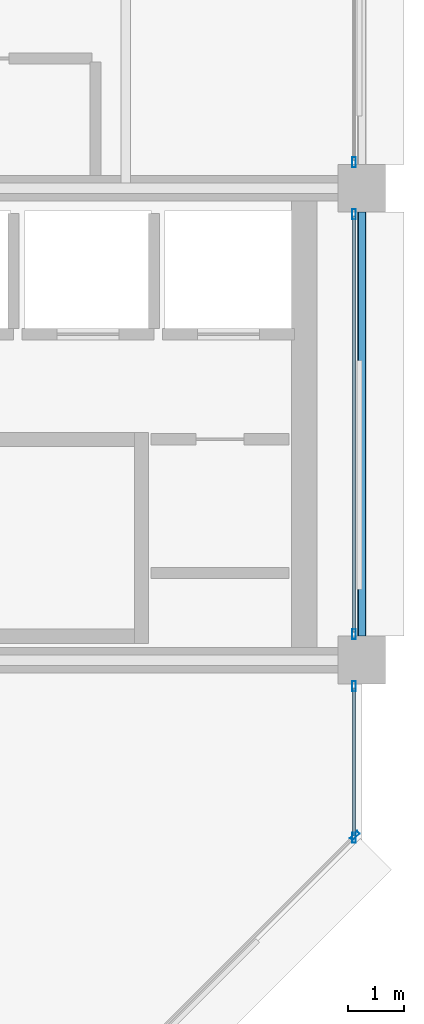
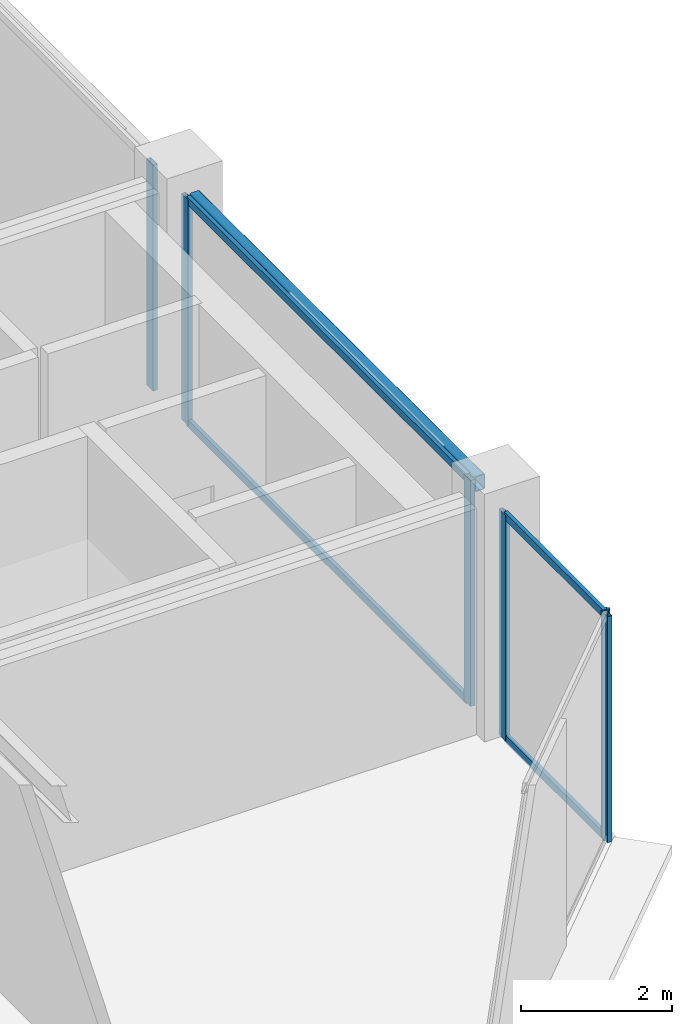
# One storey, part 14 of 25: 10 members, 1 beam, 4 elements without a shape of their own.
"""IFC4 building model written with IfcOpenShell, lengths in metres."""

from ifc_helpers import new_model, si_unit, direction, frame, origin, origin_2d, place, context, subcontext, project, spatial, hollow_rectangle, extrude, material, layer, layer_set, material_profile, profile_set, type_object, element, aggregate, save


model = new_model("IFC4")

# Units and contexts
model_context = context("Model", 3, precision=1e-05, world=origin(), true_north=direction((0.0, 1.0)))
body_context = subcontext(model_context, "Body", "Model", "MODEL_VIEW")
ifc_project = project(units=[si_unit("LENGTHUNIT", "METRE"), si_unit("AREAUNIT", "SQUARE_METRE"), si_unit("VOLUMEUNIT", "CUBIC_METRE"), si_unit("PLANEANGLEUNIT", "RADIAN"), si_unit("MASSUNIT", "GRAM", prefix="KILO")], contexts=[model_context])

# Site, building, storey
site_placement = place(None, origin())
site = spatial("IfcSite", under=ifc_project, at=site_placement, CompositionType="ELEMENT")
building_placement = place(site_placement, origin())
building = spatial("IfcBuilding", under=site, at=building_placement, Name="Nerrivon Quay Data Exchange", CompositionType="ELEMENT")
storey_placement = place(building_placement, frame((0.0, 0.0, 318.199951171875)))
storey = spatial("IfcBuildingStorey", under=building, at=storey_placement, Name="L76", CompositionType="ELEMENT", Elevation=318.199951171875)

# Beam
ifc_material_1 = material(Name="Steel Grade C350L0 (350 MPa)", Category="steel")
ifc_material_profile_1 = material_profile(ifc_material_1, hollow_rectangle(XDim=0.14990234375, YDim=0.25, WallThickness=0.009033203125, InnerFilletRadius=0.013427734375, OuterFilletRadius=0.0224609375, at=origin_2d()), Name="250x150x9.0RHS")
ifc_profile_set_1 = profile_set([ifc_material_profile_1], Name="Steel Grade C350L0 (350 MPa)")
beam_type = type_object("IfcBeamType", Name="BM-SP4-250x150RHS", PredefinedType="SPANDREL", material=ifc_profile_set_1)
beam_placement = place(storey_placement, frame((33.60009765625, 8.824951171875, 3.525146484375), z_axis=(0.0, 1.0, 0.0), x_axis=(-1.0, 0.0, 0.0)))
element("IfcBeam", 1, at=beam_placement, inside=storey, type_object=beam_type, Name="L76 NS Girder X=33.6 (8.4..16.8)", PredefinedType="SPANDREL", context=body_context, shape_type="SweptSolid", body=[
    extrude(hollow_rectangle(XDim=0.14990234375, YDim=0.25, WallThickness=0.009033203125, InnerFilletRadius=0.013427734375, OuterFilletRadius=0.0224609375, at=origin_2d()), origin(), (0.0, 0.0, 1.0), 7.550048828125),
])

# Curtain wall, member
ifc_material_2 = material(Name="Anodised aluminium 6063-T6", Category="aluminium")
ifc_layer = layer(ifc_material_2, 0.195068359375)
ifc_layer_set = layer_set([ifc_layer], Name="Anodised aluminium 6063-T6")
curtain_wall_type = type_object("IfcCurtainWallType", Name="CW-SYS-06", PredefinedType="NOTDEFINED", material=ifc_layer_set)
curtain_wall_1_placement = place(storey_placement, origin())
curtain_wall_1 = element("IfcCurtainWall", 2, at=curtain_wall_1_placement, inside=storey, type_object=curtain_wall_type, Name="L76 Unitised Curtain Wall 1", PredefinedType="NOTDEFINED")
ifc_material_profile_2 = material_profile(ifc_material_2, hollow_rectangle(XDim=0.06494140625, YDim=0.179931640625, WallThickness=0.00341796875, at=origin_2d()), Name="ALU-MULL-180x65")
ifc_profile_set_2 = profile_set([ifc_material_profile_2], Name="Anodised aluminium 6063-T6")
member_type_1 = type_object("IfcMemberType", Name="CWM-180x65", PredefinedType="MULLION", material=ifc_profile_set_2)
member_1_placement = place(storey_placement, frame((33.474365234375, 5.2724609375, 0.0), z_axis=(0.0, 0.0, 1.0), x_axis=(0.707106781187, -0.707106781187, 0.0)))
member_1 = element("IfcMember", 3, at=member_1_placement, type_object=member_type_1, Name="CW06 mullion 1", PredefinedType="MULLION", context=body_context, shape_type="SweptSolid", body=[
    extrude(hollow_rectangle(XDim=0.06494140625, YDim=0.179931640625, WallThickness=0.00341796875, at=origin_2d()), origin(), (0.0, 0.0, 1.0), 3.650146484375),
])
aggregate(curtain_wall_1, [member_1])

curtain_wall_2_placement = place(storey_placement, origin())
curtain_wall_2 = element("IfcCurtainWall", 4, at=curtain_wall_2_placement, inside=storey, type_object=curtain_wall_type, Name="L76 Unitised Curtain Wall 22", PredefinedType="NOTDEFINED")
member_2_placement = place(storey_placement, frame((33.4599609375, 17.262451171875, 0.0), z_axis=(0.0, 0.0, 1.0), x_axis=(1.0, 0.0, 0.0)))
member_2 = element("IfcMember", 5, at=member_2_placement, type_object=member_type_1, Name="CW06 mullion 2", PredefinedType="MULLION", context=body_context, shape_type="SweptSolid", body=[
    extrude(hollow_rectangle(XDim=0.06494140625, YDim=0.179931640625, WallThickness=0.00341796875, at=origin_2d()), origin(), (0.0, 0.0, 1.0), 3.650146484375),
])
aggregate(curtain_wall_2, [member_2])

# Curtain wall, members
curtain_wall_3_placement = place(storey_placement, origin())
curtain_wall_3 = element("IfcCurtainWall", 6, at=curtain_wall_3_placement, inside=storey, type_object=curtain_wall_type, Name="L76 Unitised Curtain Wall 23", PredefinedType="NOTDEFINED")
member_3_placement = place(storey_placement, frame((33.4599609375, 16.33740234375, 0.0), z_axis=(0.0, 0.0, 1.0), x_axis=(1.0, 0.0, 0.0)))
member_3 = element("IfcMember", 7, at=member_3_placement, type_object=member_type_1, Name="CW06 mullion 1", PredefinedType="MULLION", context=body_context, shape_type="SweptSolid", body=[
    extrude(hollow_rectangle(XDim=0.06494140625, YDim=0.179931640625, WallThickness=0.00341796875, at=origin_2d()), origin(), (0.0, 0.0, 1.0), 3.650146484375),
])
member_4_placement = place(storey_placement, frame((33.4599609375, 8.862548828125, 0.0), z_axis=(0.0, 0.0, 1.0), x_axis=(1.0, 0.0, 0.0)))
member_4 = element("IfcMember", 8, at=member_4_placement, type_object=member_type_1, Name="CW06 mullion 2", PredefinedType="MULLION", context=body_context, shape_type="SweptSolid", body=[
    extrude(hollow_rectangle(XDim=0.06494140625, YDim=0.179931640625, WallThickness=0.00341796875, at=origin_2d()), origin(), (0.0, 0.0, 1.0), 3.650146484375),
])

curtain_wall_4_placement = place(storey_placement, origin())
curtain_wall_4 = element("IfcCurtainWall", 9, at=curtain_wall_4_placement, inside=storey, type_object=curtain_wall_type, Name="L76 Unitised Curtain Wall 24", PredefinedType="NOTDEFINED")
member_5_placement = place(storey_placement, frame((33.4599609375, 7.9375, 0.0), z_axis=(0.0, 0.0, 1.0), x_axis=(1.0, 0.0, 0.0)))
member_5 = element("IfcMember", 10, at=member_5_placement, type_object=member_type_1, Name="CW06 mullion 1", PredefinedType="MULLION", context=body_context, shape_type="SweptSolid", body=[
    extrude(hollow_rectangle(XDim=0.06494140625, YDim=0.179931640625, WallThickness=0.00341796875, at=origin_2d()), origin(), (0.0, 0.0, 1.0), 3.650146484375),
])
member_6_placement = place(storey_placement, frame((33.4599609375, 5.237548828125, 0.0), z_axis=(0.0, 0.0, 1.0), x_axis=(1.0, 0.0, 0.0)))
member_6 = element("IfcMember", 11, at=member_6_placement, type_object=member_type_1, Name="CW06 mullion 2", PredefinedType="MULLION", context=body_context, shape_type="SweptSolid", body=[
    extrude(hollow_rectangle(XDim=0.06494140625, YDim=0.179931640625, WallThickness=0.00341796875, at=origin_2d()), origin(), (0.0, 0.0, 1.0), 3.650146484375),
])

# Member
ifc_material_profile_3 = material_profile(ifc_material_2, hollow_rectangle(XDim=0.06005859375, YDim=0.1201171875, WallThickness=0.003173828125, at=origin_2d()), Name="ALU-TRAN-120x60")
ifc_profile_set_3 = profile_set([ifc_material_profile_3], Name="Anodised aluminium 6063-T6")
member_type_2 = type_object("IfcMemberType", Name="CWT-120x60", PredefinedType="USERDEFINED", material=ifc_profile_set_3)
member_7_placement = place(storey_placement, frame((33.4599609375, 16.300048828125, 0.032470703125), z_axis=(0.0, -1.0, 0.0), x_axis=(1.0, 0.0, 0.0)))
member_7 = element("IfcMember", 12, at=member_7_placement, type_object=member_type_2, Name="CW06 transom 1.1", ObjectType="TRANSOM", PredefinedType="USERDEFINED", context=body_context, shape_type="SweptSolid", body=[
    extrude(hollow_rectangle(XDim=0.06005859375, YDim=0.1201171875, WallThickness=0.003173828125, at=origin_2d()), origin(), (0.0, 0.0, 1.0), 7.400146484375),
])

member_8_placement = place(storey_placement, frame((33.4599609375, 16.300048828125, 3.617431640625), z_axis=(0.0, -1.0, 0.0), x_axis=(1.0, 0.0, 0.0)))
member_8 = element("IfcMember", 13, at=member_8_placement, type_object=member_type_2, Name="CW06 transom 1.2", ObjectType="TRANSOM", PredefinedType="USERDEFINED", context=body_context, shape_type="SweptSolid", body=[
    extrude(hollow_rectangle(XDim=0.06005859375, YDim=0.1201171875, WallThickness=0.003173828125, at=origin_2d()), origin(), (0.0, 0.0, 1.0), 7.400146484375),
])

aggregate(curtain_wall_3, [member_3, member_4, member_7, member_8])

member_9_placement = place(storey_placement, frame((33.4599609375, 7.89990234375, 0.032470703125), z_axis=(0.0, -1.0, 0.0), x_axis=(1.0, 0.0, 0.0)))
member_9 = element("IfcMember", 14, at=member_9_placement, type_object=member_type_2, Name="CW06 transom 1.1", ObjectType="TRANSOM", PredefinedType="USERDEFINED", context=body_context, shape_type="SweptSolid", body=[
    extrude(hollow_rectangle(XDim=0.06005859375, YDim=0.1201171875, WallThickness=0.003173828125, at=origin_2d()), origin(), (0.0, 0.0, 1.0), 2.625),
])

member_10_placement = place(storey_placement, frame((33.4599609375, 7.89990234375, 3.617431640625), z_axis=(0.0, -1.0, 0.0), x_axis=(1.0, 0.0, 0.0)))
member_10 = element("IfcMember", 15, at=member_10_placement, type_object=member_type_2, Name="CW06 transom 1.2", ObjectType="TRANSOM", PredefinedType="USERDEFINED", context=body_context, shape_type="SweptSolid", body=[
    extrude(hollow_rectangle(XDim=0.06005859375, YDim=0.1201171875, WallThickness=0.003173828125, at=origin_2d()), origin(), (0.0, 0.0, 1.0), 2.625),
])

aggregate(curtain_wall_4, [member_5, member_6, member_9, member_10])

save(model, "model.ifc")
